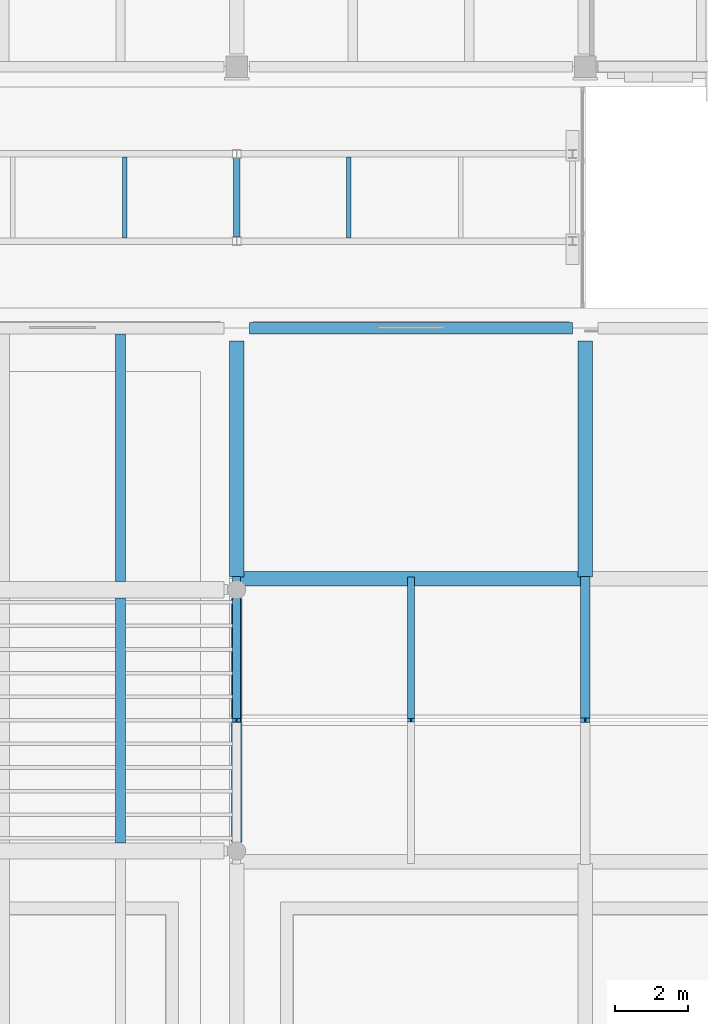
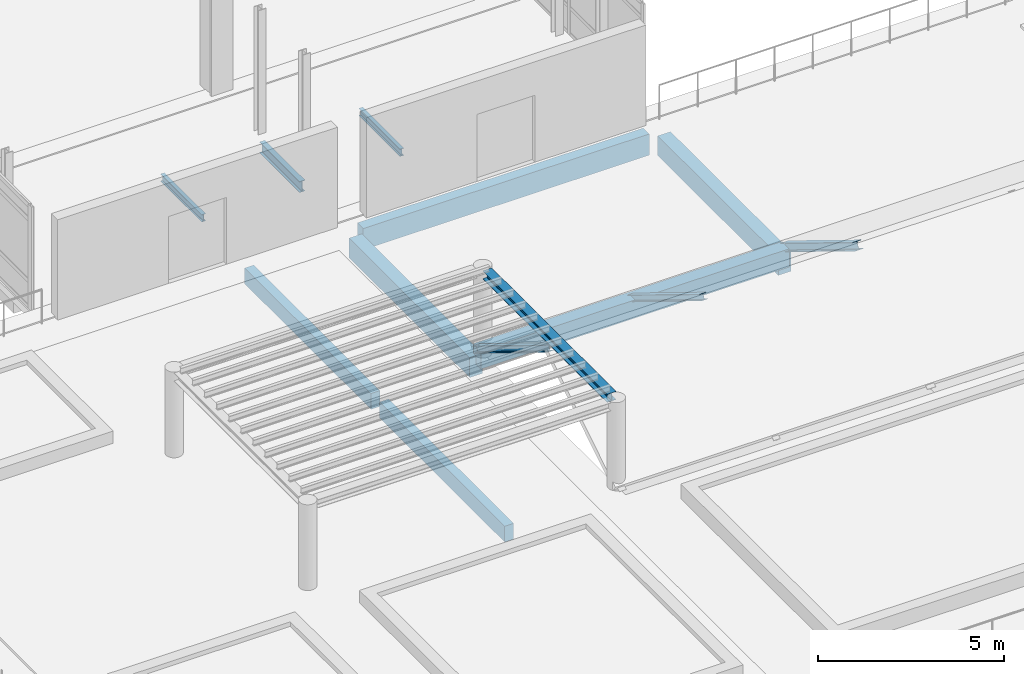
# One storey, part 7 of 134: 10 beams, 3 members.
"""IFC4 building model written with IfcOpenShell, lengths in metres."""

from ifc_helpers import new_model, si_unit, direction, frame, origin, origin_2d, place, context, subcontext, project, spatial, rectangle, i_section, extrude, material, material_profile, profile_set, type_object, element, save


model = new_model("IFC4")

# Units and contexts
model_context = context("Model", 3, precision=1e-05, world=origin(), true_north=direction((0.0, 1.0)))
body_context = subcontext(model_context, "Body", "Model", "MODEL_VIEW")
ifc_project = project(units=[si_unit("LENGTHUNIT", "METRE"), si_unit("AREAUNIT", "SQUARE_METRE"), si_unit("VOLUMEUNIT", "CUBIC_METRE"), si_unit("PLANEANGLEUNIT", "RADIAN"), si_unit("MASSUNIT", "GRAM", prefix="KILO")], contexts=[model_context])

# Site, building, storey
site_placement = place(None, origin())
site = spatial("IfcSite", under=ifc_project, at=site_placement, CompositionType="ELEMENT")
building_placement = place(site_placement, origin())
building = spatial("IfcBuilding", under=site, at=building_placement, Name="Asteropetra Specialist Clinic", CompositionType="ELEMENT")
storey_placement = place(building_placement, frame((0.0, 0.0, 8.5)))
storey = spatial("IfcBuildingStorey", under=building, at=storey_placement, Name="L02", CompositionType="ELEMENT", Elevation=8.5)

# Beams
ifc_material_1 = material(Name="Concrete C35/45", Category="concrete")
ifc_material_profile_1 = material_profile(ifc_material_1, rectangle(XDim=0.39990234375, YDim=0.60009765625, at=origin_2d()), Name="RCB 400x600")
ifc_profile_set_1 = profile_set([ifc_material_profile_1], Name="Concrete C35/45")
beam_type_1 = type_object("IfcBeamType", Name="BM-RC400x600", PredefinedType="BEAM", material=ifc_profile_set_1)
beam_1_placement = place(storey_placement, frame((19.199951171875, 19.5, -0.300048828125), z_axis=(1.0, 0.0, 0.0), x_axis=(0.0, 1.0, 0.0)))
element("IfcBeam", 1, at=beam_1_placement, inside=storey, type_object=beam_type_1, Name="Skylight Curb Beam SKB-2", PredefinedType="BEAM", context=body_context, shape_type="SweptSolid", body=[
    extrude(rectangle(XDim=0.39990234375, YDim=0.60009765625, at=origin_2d()), origin(), (0.0, 0.0, 1.0), 9.60009765625),
])
ifc_material_2 = material(Name="Concrete C35/45", Category="concrete")
ifc_material_profile_2 = material_profile(ifc_material_2, rectangle(XDim=0.39990234375, YDim=0.64990234375, at=origin_2d()), Name="RCB 400x650")
ifc_profile_set_2 = profile_set([ifc_material_profile_2], Name="Concrete C35/45")
beam_type_2 = type_object("IfcBeamType", Name="BM-RC400x650", PredefinedType="BEAM", material=ifc_profile_set_2)
for number, where, z_axis, x_axis, name in (
    (2, (19.199951171875, 19.550048828125, -0.635009765625), (0.0, 1.0, 0.0), (-1.0, 0.0, 0.0), "Beam BBM07-0922"),
    (3, (28.800048828125, 19.550048828125, -0.635009765625), (0.0, 1.0, 0.0), (-1.0, 0.0, 0.0), "Beam BBM07-0923"),
):
    element("IfcBeam", number, at=place(storey_placement, frame(where, z_axis=z_axis, x_axis=x_axis)), inside=storey, type_object=beam_type_2, Name=name, PredefinedType="BEAM", context=body_context, shape_type="SweptSolid", body=[
        extrude(rectangle(XDim=0.39990234375, YDim=0.64990234375, at=origin_2d()), origin(), (0.0, 0.0, 1.0), 6.5),
    ])
ifc_material_3 = material(Name="Steel S355", Category="steel")
ifc_material_profile_3 = material_profile(ifc_material_3, i_section(OverallWidth=0.280029296875, OverallDepth=0.27001953125, WebThickness=0.008056640625, FlangeThickness=0.012939453125, FilletRadius=0.02392578125, at=origin_2d()), Name="HEA 280")
ifc_profile_set_3 = profile_set([ifc_material_profile_3], Name="Steel S355")
beam_type_3 = type_object("IfcBeamType", Name="BM-STL-HEA280", PredefinedType="BEAM", material=ifc_profile_set_3)
beam_2_placement = place(storey_placement, frame((19.199951171875, 12.25, 2.760009765625), z_axis=(0.0, 1.0, 0.0), x_axis=(-1.0, 0.0, 0.0)))
element("IfcBeam", 4, at=beam_2_placement, inside=storey, type_object=beam_type_3, Name="Terrace Pergola Beam PGB-2", PredefinedType="BEAM", context=body_context, shape_type="SweptSolid", body=[
    extrude(i_section(OverallWidth=0.280029296875, OverallDepth=0.27001953125, WebThickness=0.008056640625, FlangeThickness=0.012939453125, FilletRadius=0.02392578125, at=origin_2d()), origin(), (0.0, 0.0, 1.0), 6.699951171875),
])
ifc_material_4 = material(Name="Steel S355", Category="steel")
ifc_material_profile_4 = material_profile(ifc_material_4, i_section(OverallWidth=0.169921875, OverallDepth=0.360107421875, WebThickness=0.008056640625, FlangeThickness=0.0126953125, FilletRadius=0.01806640625, at=origin_2d()), Name="IPE 360")
ifc_profile_set_4 = profile_set([ifc_material_profile_4], Name="Steel S355")
beam_type_4 = type_object("IfcBeamType", Name="BM-STL-IPE360", PredefinedType="BEAM", material=ifc_profile_set_4)
beam_3_placement = place(storey_placement, frame((19.199951171875, 28.919921875, -0.419921875), z_axis=(0.0, 1.0, 0.0), x_axis=(-1.0, 0.0, 0.0)))
element("IfcBeam", 5, at=beam_3_placement, inside=storey, type_object=beam_type_4, Name="Beam BBMS4-1337", PredefinedType="BEAM", context=body_context, shape_type="SweptSolid", body=[
    extrude(i_section(OverallWidth=0.169921875, OverallDepth=0.360107421875, WebThickness=0.008056640625, FlangeThickness=0.0126953125, FilletRadius=0.01806640625, at=origin_2d()), origin(), (0.0, 0.0, 1.0), 2.16015625),
])
ifc_material_5 = material(Name="Concrete C35/45", Category="concrete")
ifc_material_profile_5 = material_profile(ifc_material_5, rectangle(XDim=0.280029296875, YDim=0.52001953125, at=origin_2d()), Name="RCJ 280x520")
ifc_profile_set_5 = profile_set([ifc_material_profile_5], Name="Concrete C35/45")
beam_type_5 = type_object("IfcBeamType", Name="JST-RC280x520", PredefinedType="JOIST", material=ifc_profile_set_5)
beam_4_placement = place(storey_placement, frame((16.0, 12.22509765625, -0.570068359375), z_axis=(0.0, 1.0, 0.0), x_axis=(-1.0, 0.0, 0.0)))
element("IfcBeam", 6, at=beam_4_placement, inside=storey, type_object=beam_type_5, Name="Joist JJST01-0915", PredefinedType="JOIST", context=body_context, shape_type="SweptSolid", body=[
    extrude(rectangle(XDim=0.280029296875, YDim=0.52001953125, at=origin_2d()), origin(), (0.0, 0.0, 1.0), 6.75),
])
beam_5_placement = place(storey_placement, frame((16.0, 19.425048828125, -0.570068359375), z_axis=(0.0, 1.0, 0.0), x_axis=(-1.0, 0.0, 0.0)))
element("IfcBeam", 7, at=beam_5_placement, inside=storey, type_object=beam_type_5, Name="Joist JJST01-0930", PredefinedType="JOIST", context=body_context, shape_type="SweptSolid", body=[
    extrude(rectangle(XDim=0.280029296875, YDim=0.52001953125, at=origin_2d()), origin(), (0.0, 0.0, 1.0), 6.81494140625),
])
ifc_material_6 = material(Name="Steel S355", Category="steel")
ifc_material_profile_6 = material_profile(ifc_material_6, i_section(OverallWidth=0.1201171875, OverallDepth=0.239990234375, WebThickness=0.006103515625, FlangeThickness=0.009765625, FilletRadius=0.014892578125, at=origin_2d()), Name="IPE 240")
ifc_profile_set_6 = profile_set([ifc_material_profile_6], Name="Steel S355")
beam_type_6 = type_object("IfcBeamType", Name="JST-STL-IPE240", PredefinedType="JOIST", material=ifc_profile_set_6)
for number, where, z_axis, x_axis, name in (
    (8, (16.11669921875, 28.889892578125, -0.360107421875), (0.0, 1.0, 0.0), (-1.0, 0.0, 0.0), "Joist JJSTS1-1340"),
    (9, (22.283203125, 28.889892578125, -0.360107421875), (0.0, 1.0, 0.0), (-1.0, 0.0, 0.0), "Joist JJSTS1-1341"),
):
    element("IfcBeam", number, at=place(storey_placement, frame(where, z_axis=z_axis, x_axis=x_axis)), inside=storey, type_object=beam_type_6, Name=name, PredefinedType="JOIST", context=body_context, shape_type="SweptSolid", body=[
        extrude(i_section(OverallWidth=0.1201171875, OverallDepth=0.239990234375, WebThickness=0.006103515625, FlangeThickness=0.009765625, FilletRadius=0.014892578125, at=origin_2d()), origin(), (0.0, 0.0, 1.0), 2.22021484375),
    ])
ifc_material_7 = material(Name="Concrete C35/45", Category="concrete")
ifc_material_profile_7 = material_profile(ifc_material_7, rectangle(XDim=0.320068359375, YDim=0.699951171875, at=origin_2d()), Name="RCS 320x700")
ifc_profile_set_7 = profile_set([ifc_material_profile_7], Name="Concrete C35/45")
beam_type_7 = type_object("IfcBeamType", Name="SPN-RC320x700", PredefinedType="SPANDREL", material=ifc_profile_set_7)
beam_6_placement = place(storey_placement, frame((19.550048828125, 26.39990234375, -0.659912109375), z_axis=(1.0, 0.0, 0.0), x_axis=(0.0, 1.0, 0.0)))
element("IfcBeam", 10, at=beam_6_placement, inside=storey, type_object=beam_type_7, Name="Beam BSPN02-0870", PredefinedType="SPANDREL", context=body_context, shape_type="SweptSolid", body=[
    extrude(rectangle(XDim=0.320068359375, YDim=0.699951171875, at=origin_2d()), origin(), (0.0, 0.0, 1.0), 8.89990234375),
])

# Members
ifc_material_8 = material(Name="Steel S355", Category="steel")
ifc_material_profile_8 = material_profile(ifc_material_8, i_section(OverallWidth=0.199951171875, OverallDepth=0.18994140625, WebThickness=0.006591796875, FlangeThickness=0.010009765625, FilletRadius=0.01806640625, at=origin_2d()), Name="HEA 200")
ifc_profile_set_8 = profile_set([ifc_material_profile_8], Name="Steel S355")
member_type_1 = type_object("IfcMemberType", Name="TR-RAF-HEA200", PredefinedType="RAFTER", material=ifc_profile_set_8)
member_1_placement = place(storey_placement, frame((24.0, 15.60009765625, 2.35009765625), z_axis=(0.0, 0.852613526022, -0.522542032037), x_axis=(-1.0, 0.0, 0.0)))
element("IfcMember", 11, at=member_1_placement, inside=storey, type_object=member_type_1, Name="Atrium Rafter North SKR-N2", PredefinedType="RAFTER", context=body_context, shape_type="SweptSolid", body=[
    extrude(i_section(OverallWidth=0.199951171875, OverallDepth=0.18994140625, WebThickness=0.006591796875, FlangeThickness=0.010009765625, FilletRadius=0.01806640625, at=origin_2d()), origin(), (0.0, 0.0, 1.0), 4.573974609375),
])
ifc_material_9 = material(Name="Steel S355", Category="steel")
ifc_material_profile_9 = material_profile(ifc_material_9, i_section(OverallWidth=0.219970703125, OverallDepth=0.2099609375, WebThickness=0.007080078125, FlangeThickness=0.010986328125, FilletRadius=0.01806640625, at=origin_2d()), Name="HEA 220")
ifc_profile_set_9 = profile_set([ifc_material_profile_9], Name="Steel S355")
member_type_2 = type_object("IfcMemberType", Name="TR-RAF-HEA220", PredefinedType="RAFTER", material=ifc_profile_set_9)
member_2_placement = place(storey_placement, frame((19.199951171875, 15.60009765625, 2.35009765625), z_axis=(0.0, 0.852613526022, -0.522542032037), x_axis=(-1.0, 0.0, 0.0)))
element("IfcMember", 12, at=member_2_placement, inside=storey, type_object=member_type_2, Name="Atrium Rafter North SKR-N1", PredefinedType="RAFTER", context=body_context, shape_type="SweptSolid", body=[
    extrude(i_section(OverallWidth=0.219970703125, OverallDepth=0.2099609375, WebThickness=0.007080078125, FlangeThickness=0.010986328125, FilletRadius=0.01806640625, at=origin_2d()), origin(), (0.0, 0.0, 1.0), 4.573974609375),
])
ifc_material_10 = material(Name="Steel S355", Category="steel")
ifc_material_profile_10 = material_profile(ifc_material_10, i_section(OverallWidth=0.260009765625, OverallDepth=0.25, WebThickness=0.007568359375, FlangeThickness=0.012451171875, FilletRadius=0.02392578125, at=origin_2d()), Name="HEA 260")
ifc_profile_set_10 = profile_set([ifc_material_profile_10], Name="Steel S355")
member_type_3 = type_object("IfcMemberType", Name="TR-RAF-HEA260", PredefinedType="RAFTER", material=ifc_profile_set_10)
member_3_placement = place(storey_placement, frame((28.800048828125, 15.60009765625, 2.35009765625), z_axis=(0.0, 0.852613526022, -0.522542032037), x_axis=(-1.0, 0.0, 0.0)))
element("IfcMember", 13, at=member_3_placement, inside=storey, type_object=member_type_3, Name="Atrium Rafter North SKR-N3", PredefinedType="RAFTER", context=body_context, shape_type="SweptSolid", body=[
    extrude(i_section(OverallWidth=0.260009765625, OverallDepth=0.25, WebThickness=0.007568359375, FlangeThickness=0.012451171875, FilletRadius=0.02392578125, at=origin_2d()), origin(), (0.0, 0.0, 1.0), 4.573974609375),
])

save(model, "model.ifc")
